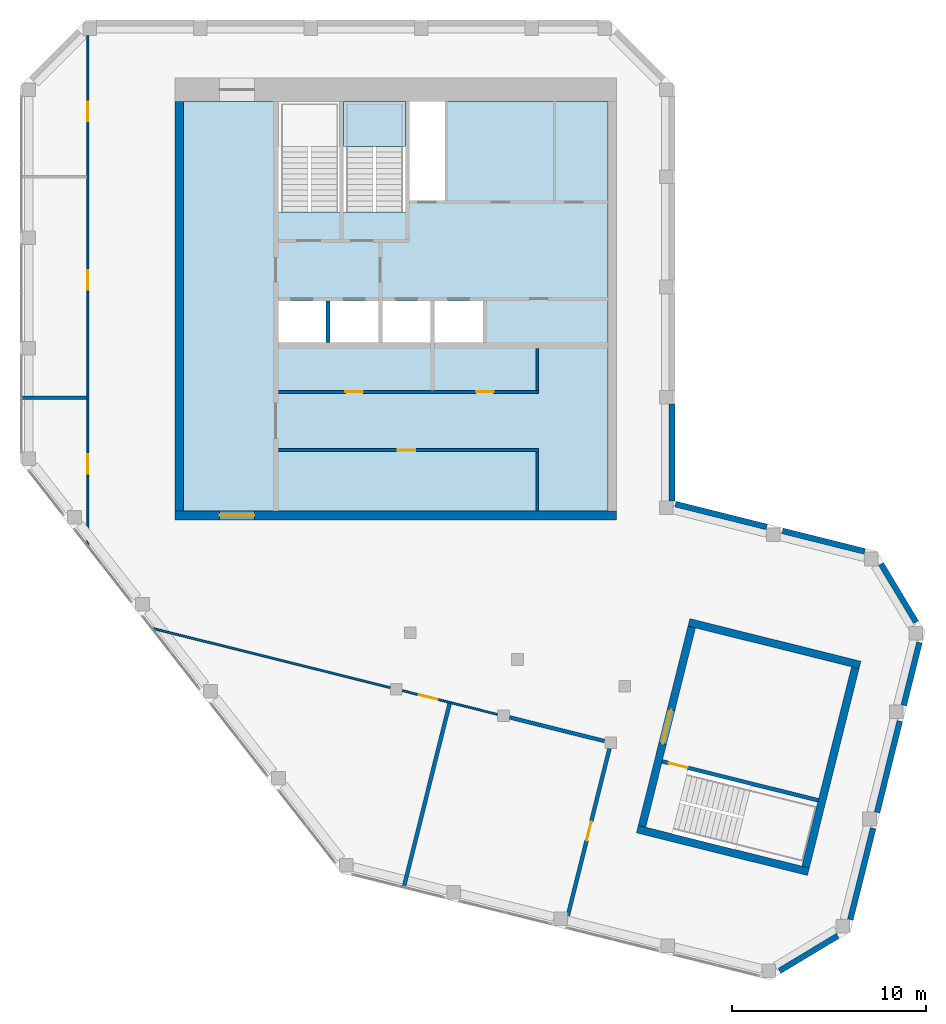
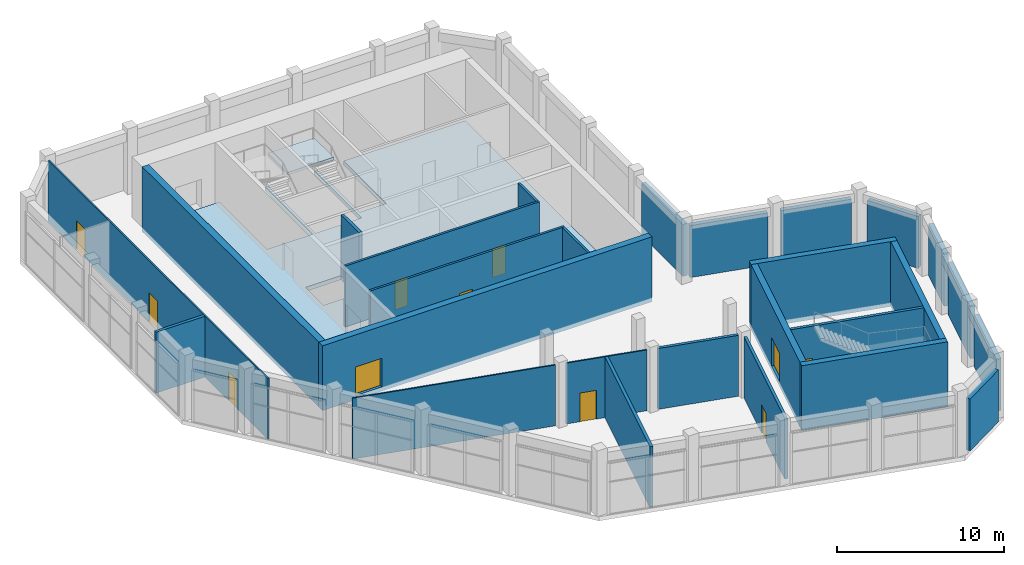
# One storey, part 7 of 10: 27 walls, 11 doors, 2 slabs, 11 openings, 1 element without a shape of its own.
"""IFC4 building model written with IfcOpenShell, lengths in metres."""

from ifc_helpers import new_model, si_unit, direction, frame, frame_2d, origin, place, context, subcontext, project, spatial, polyline, rectangle, outline, extrude, material, layer, layer_set, type_object, element, fill, aggregate, save


model = new_model("IFC4")

# Units and contexts
model_context = context("Model", 3, precision=1e-05, world=origin(), true_north=direction((0.0, 1.0)))
body_context = subcontext(model_context, "Body", "Model", "MODEL_VIEW")
ifc_project = project(units=[si_unit("LENGTHUNIT", "METRE"), si_unit("AREAUNIT", "SQUARE_METRE"), si_unit("VOLUMEUNIT", "CUBIC_METRE"), si_unit("PLANEANGLEUNIT", "RADIAN"), si_unit("MASSUNIT", "GRAM", prefix="KILO")], contexts=[model_context])

# Site, building, storey
site_placement = place(None, origin())
site = spatial("IfcSite", under=ifc_project, at=site_placement, CompositionType="ELEMENT")
building_placement = place(site_placement, origin())
building = spatial("IfcBuilding", under=site, at=building_placement, Name="Meshkara Civic Tower", CompositionType="ELEMENT")
storey_placement = place(building_placement, frame((0.0, 0.0, 424.199951171875)))
storey = spatial("IfcBuildingStorey", under=building, at=storey_placement, Name="L97 Crown", CompositionType="ELEMENT", Elevation=424.199951171875)

# Slab
ifc_material_1 = material(Name="Concrete C40/50", Category="concrete")
ifc_layer_1 = layer(ifc_material_1, 0.300048828125)
ifc_layer_set_1 = layer_set([ifc_layer_1], Name="Core floor slab 300 C40/50")
slab_type_1 = type_object("IfcSlabType", Name="Core floor slab 300 C40/50", PredefinedType="FLOOR", material=ifc_layer_set_1)
slab_1_placement = place(storey_placement, frame((0.0, 0.0, -0.300048828125)))
element("IfcSlab", 1, at=slab_1_placement, inside=storey, type_object=slab_type_1, Name="Core floor K", PredefinedType="FLOOR", context=body_context, shape_type="SweptSolid", body=[
    extrude(outline(polyline([(8.449951171875, 35.699951171875), (13.35009765625, 35.699951171875), (13.35009765625, 30.00146484375), (16.5, 30.00146484375), (16.5, 35.699951171875), (16.699951171875, 35.699951171875), (16.699951171875, 30.00146484375), (19.89990234375, 30.00146484375), (19.89990234375, 35.699951171875), (20.10009765625, 35.699951171875), (20.10009765625, 30.574951171875), (21.925048828125, 30.574951171875), (21.925048828125, 35.699951171875), (30.35009765625, 35.699951171875), (30.35009765625, 14.550048828125), (8.449951171875, 14.550048828125), (8.449951171875, 35.699951171875)]), holes=[polyline([(15.800048828125, 23.25), (15.800048828125, 25.39990234375), (13.35009765625, 25.39990234375), (13.35009765625, 23.25), (15.800048828125, 23.25)]), polyline([(18.5, 25.39990234375), (16.0, 25.39990234375), (16.0, 23.25), (18.5, 23.25), (18.5, 25.39990234375)]), polyline([(18.699951171875, 23.25), (21.199951171875, 23.25), (21.199951171875, 25.39990234375), (18.699951171875, 25.39990234375), (18.699951171875, 23.25)]), polyline([(21.39990234375, 23.25), (23.89990234375, 23.25), (23.89990234375, 25.39990234375), (21.39990234375, 25.39990234375), (21.39990234375, 23.25)])]), origin(), (0.0, 0.0, 1.0), 0.300048828125),
])

# Stair, slab
ifc_material_2 = material(Name="Precast concrete C40/50", Category="concrete")
stair_type = type_object("IfcStairType", Name="Exit stair half-turn 26 risers precast", PredefinedType="HALF_TURN_STAIR", material=ifc_material_2)
stair_placement = place(storey_placement, origin())
stair = element("IfcStair", 2, at=stair_placement, inside=storey, type_object=stair_type, Name="L97 Crown exit stair 2", PredefinedType="HALF_TURN_STAIR")
ifc_material_3 = material(Name="Precast concrete C40/50", Category="concrete")
ifc_layer_2 = layer(ifc_material_3, 0.199951171875)
ifc_layer_set_2 = layer_set([ifc_layer_2], Name="Exit stair landing 200")
slab_type_2 = type_object("IfcSlabType", Name="Exit stair landing 200", PredefinedType="LANDING", material=ifc_layer_set_2)
slab_2_placement = place(storey_placement, frame((0.0, 0.0, 2.199951171875)))
slab_2 = element("IfcSlab", 3, at=slab_2_placement, type_object=slab_type_2, Name="ST2 landing 1", PredefinedType="LANDING", context=body_context, shape_type="SweptSolid", body=[
    extrude(outline(polyline([(19.89990234375, 33.3583984375), (19.89990234375, 35.699951171875), (16.699951171875, 35.699951171875), (16.699951171875, 33.3583984375), (19.89990234375, 33.3583984375)])), origin(), (0.0, 0.0, 1.0), 0.2001953125),
])
aggregate(stair, [slab_2])

# Walls
ifc_material_4 = material(Name="Insulated infill panel with bronze anodised aluminium cladding", Category="aluminium")
ifc_layer_3 = layer(ifc_material_4, 0.300048828125)
ifc_layer_set_3 = layer_set([ifc_layer_3], Name="CROWN WALL 300")
wall_type_1 = type_object("IfcWallType", Name="CROWN WALL 300", PredefinedType="SOLIDWALL", material=ifc_layer_set_3)
wall_1_placement = place(storey_placement, frame((43.60205078125, 12.471923828125, 0.0), z_axis=(0.0, 0.0, 1.0), x_axis=(-0.970257492536, 0.242075191166, 0.0)))
element("IfcWall", 4, at=wall_1_placement, inside=storey, type_object=wall_type_1, Name="Crown external wall", PredefinedType="SOLIDWALL", context=body_context, shape_type="SweptSolid", body=[
    extrude(rectangle(XDim=4.366943359375, YDim=0.300048828125, at=frame_2d((2.18359375, 0.0))), origin(), (0.0, 0.0, 1.0), 3.800048828125),
])
wall_2_placement = place(storey_placement, frame((38.5419921875, 13.73388671875, 0.0), z_axis=(0.0, 0.0, 1.0), x_axis=(-0.970284401049, 0.241967314076, 0.0)))
element("IfcWall", 5, at=wall_2_placement, inside=storey, type_object=wall_type_1, Name="Crown external wall", PredefinedType="SOLIDWALL", context=body_context, shape_type="SweptSolid", body=[
    extrude(rectangle(XDim=4.852294921875, YDim=0.300048828125, at=frame_2d((2.42626953125, 0.0))), origin(), (0.0, 0.0, 1.0), 3.800048828125),
])
wall_3_placement = place(storey_placement, frame((33.64990234375, 15.069091796875, 0.0), z_axis=(0.0, 0.0, 1.0), x_axis=(0.0, 1.0, 0.0)))
element("IfcWall", 6, at=wall_3_placement, inside=storey, type_object=wall_type_1, Name="Crown external wall", PredefinedType="SOLIDWALL", context=body_context, shape_type="SweptSolid", body=[
    extrude(rectangle(XDim=5.0, YDim=0.300048828125, at=frame_2d((2.5, 0.0))), origin(), (0.0, 0.0, 1.0), 3.800048828125),
])
wall_4_placement = place(storey_placement, frame((39.208984375, -9.180908203125, 0.0), z_axis=(0.0, 0.0, 1.0), x_axis=(0.857216082003, 0.514956880481, 0.0)))
element("IfcWall", 7, at=wall_4_placement, inside=storey, type_object=wall_type_1, Name="Crown external wall", PredefinedType="SOLIDWALL", context=body_context, shape_type="SweptSolid", body=[
    extrude(rectangle(XDim=3.503173828125, YDim=0.300048828125, at=frame_2d((1.75146484375, 0.0))), origin(), (0.0, 0.0, 1.0), 3.800048828125),
])
wall_5_placement = place(storey_placement, frame((42.863037109375, -6.532958984375, 0.0), z_axis=(0.0, 0.0, 1.0), x_axis=(0.241967314076, 0.970284401049, 0.0)))
element("IfcWall", 8, at=wall_5_placement, inside=storey, type_object=wall_type_1, Name="Crown external wall", PredefinedType="SOLIDWALL", context=body_context, shape_type="SweptSolid", body=[
    extrude(rectangle(XDim=4.852294921875, YDim=0.300048828125, at=frame_2d((2.42626953125, 0.0))), origin(), (0.0, 0.0, 1.0), 3.800048828125),
])
wall_6_placement = place(storey_placement, frame((44.241943359375, -1.001953125, 0.0), z_axis=(0.0, 0.0, 1.0), x_axis=(0.242014574744, 0.970272614069, 0.0)))
element("IfcWall", 9, at=wall_6_placement, inside=storey, type_object=wall_type_1, Name="Crown external wall", PredefinedType="SOLIDWALL", context=body_context, shape_type="SweptSolid", body=[
    extrude(rectangle(XDim=4.851318359375, YDim=0.300048828125, at=frame_2d((2.42578125, 0.0))), origin(), (0.0, 0.0, 1.0), 3.800048828125),
])
wall_7_placement = place(storey_placement, frame((45.62109375, 4.528076171875, 0.0), z_axis=(0.0, 0.0, 1.0), x_axis=(0.241933464924, 0.970292841646, 0.0)))
element("IfcWall", 10, at=wall_7_placement, inside=storey, type_object=wall_type_1, Name="Crown external wall", PredefinedType="SOLIDWALL", context=body_context, shape_type="SweptSolid", body=[
    extrude(rectangle(XDim=3.339111328125, YDim=0.300048828125, at=frame_2d((1.66943359375, 0.0))), origin(), (0.0, 0.0, 1.0), 3.800048828125),
])
wall_8_placement = place(storey_placement, frame((46.25, 8.818115234375, 0.0), z_axis=(0.0, 0.0, 1.0), x_axis=(-0.514956880481, 0.857216082003, 0.0)))
element("IfcWall", 11, at=wall_8_placement, inside=storey, type_object=wall_type_1, Name="Crown external wall", PredefinedType="SOLIDWALL", context=body_context, shape_type="SweptSolid", body=[
    extrude(rectangle(XDim=3.503173828125, YDim=0.300048828125, at=frame_2d((1.75146484375, 0.0))), origin(), (0.0, 0.0, 1.0), 3.800048828125),
])

# Wall, opening, door
ifc_material_5 = material(Name="Blockwork", Category="masonry")
ifc_layer_4 = layer(ifc_material_5, 0.14990234375)
ifc_layer_set_4 = layer_set([ifc_layer_4], Name="Core partition 150")
wall_type_2 = type_object("IfcWallType", Name="Core partition 150", PredefinedType="PARTITIONING", material=ifc_layer_set_4)
wall_9_placement = place(storey_placement, frame((13.35009765625, 17.699951171875, 0.0), z_axis=(0.0, 0.0, 1.0), x_axis=(1.0, 0.0, 0.0)))
wall_9 = element("IfcWall", 12, at=wall_9_placement, inside=storey, type_object=wall_type_2, Name="L97 Crown-C005", PredefinedType="PARTITIONING", context=body_context, shape_type="SweptSolid", body=[
    extrude(rectangle(XDim=13.4248046875, YDim=0.14990234375, at=frame_2d((6.71240234375, 0.0))), origin(), (0.0, 0.0, 1.0), 4.449951171875),
])
opening_1_placement = place(wall_9_placement, frame((6.14990234375, 0.0, 0.0)))
opening_1 = element("IfcOpeningElement", 13, at=opening_1_placement, cuts=wall_9, Name="Opening L97 Crown-K005", PredefinedType="OPENING", context=body_context, shape_type="SweptSolid", body=[
    extrude(rectangle(XDim=0.89990234375, YDim=2.10009765625, at=frame_2d((0.449951171875, 1.050048828125))), frame((0.0, 0.0849609375, 0.0), z_axis=(0.0, -1.0, 0.0), x_axis=(1.0, 0.0, 0.0)), (0.0, 0.0, 1.0), 0.169921875),
])
ifc_material_6 = material(Name="Timber door leaf in steel frame", Category="steel")
door_type_1 = type_object("IfcDoorType", Name="Core room door 900", OperationType="SINGLE_SWING_LEFT", PredefinedType="DOOR", material=ifc_material_6)
door_1_placement = place(opening_1_placement, origin())
door_1 = element("IfcDoor", 14, at=door_1_placement, inside=storey, type_object=door_type_1, Name="L97 Crown-K005", OperationType="SINGLE_SWING_LEFT", OverallHeight=2.10009765625, OverallWidth=0.89990234375, PredefinedType="DOOR", context=body_context, shape_type="SweptSolid", body=[
    extrude(rectangle(XDim=0.89990234375, YDim=2.10009765625, at=frame_2d((0.449951171875, 1.050048828125))), frame((0.0, 0.02490234375, 0.0), z_axis=(0.0, -1.0, 0.0), x_axis=(1.0, 0.0, 0.0)), (0.0, 0.0, 1.0), 0.050048828125),
])
fill(opening_1, door_1)

# Wall, openings, doors
wall_10_placement = place(storey_placement, frame((13.35009765625, 20.699951171875, 0.0), z_axis=(0.0, 0.0, 1.0), x_axis=(1.0, 0.0, 0.0)))
wall_10 = element("IfcWall", 15, at=wall_10_placement, inside=storey, type_object=wall_type_2, Name="L97 Crown-C006", PredefinedType="PARTITIONING", context=body_context, shape_type="SweptSolid", body=[
    extrude(rectangle(XDim=13.4248046875, YDim=0.14990234375, at=frame_2d((6.71240234375, 0.0))), origin(), (0.0, 0.0, 1.0), 4.449951171875),
])
opening_2_placement = place(wall_10_placement, frame((3.449951171875, 0.0, 0.0)))
opening_2 = element("IfcOpeningElement", 16, at=opening_2_placement, cuts=wall_10, Name="Opening L97 Crown-K006", PredefinedType="OPENING", context=body_context, shape_type="SweptSolid", body=[
    extrude(rectangle(XDim=0.89990234375, YDim=2.10009765625, at=frame_2d((0.449951171875, 1.050048828125))), frame((0.0, 0.0849609375, 0.0), z_axis=(0.0, -1.0, 0.0), x_axis=(1.0, 0.0, 0.0)), (0.0, 0.0, 1.0), 0.169921875),
])
opening_3_placement = place(wall_10_placement, frame((10.199951171875, 0.0, 0.0)))
opening_3 = element("IfcOpeningElement", 17, at=opening_3_placement, cuts=wall_10, Name="Opening L97 Crown-K007", PredefinedType="OPENING", context=body_context, shape_type="SweptSolid", body=[
    extrude(rectangle(XDim=0.89990234375, YDim=2.10009765625, at=frame_2d((0.449951171875, 1.050048828125))), frame((0.0, 0.0849609375, 0.0), z_axis=(0.0, -1.0, 0.0), x_axis=(1.0, 0.0, 0.0)), (0.0, 0.0, 1.0), 0.169921875),
])
door_2_placement = place(opening_2_placement, origin())
door_2 = element("IfcDoor", 18, at=door_2_placement, inside=storey, type_object=door_type_1, Name="L97 Crown-K006", OperationType="SINGLE_SWING_RIGHT", OverallHeight=2.10009765625, OverallWidth=0.89990234375, PredefinedType="DOOR", context=body_context, shape_type="SweptSolid", body=[
    extrude(rectangle(XDim=0.89990234375, YDim=2.10009765625, at=frame_2d((0.449951171875, 1.050048828125))), frame((0.0, 0.02490234375, 0.0), z_axis=(0.0, -1.0, 0.0), x_axis=(1.0, 0.0, 0.0)), (0.0, 0.0, 1.0), 0.050048828125),
])
fill(opening_2, door_2)
door_3_placement = place(opening_3_placement, origin())
door_3 = element("IfcDoor", 19, at=door_3_placement, inside=storey, type_object=door_type_1, Name="L97 Crown-K007", OperationType="SINGLE_SWING_RIGHT", OverallHeight=2.10009765625, OverallWidth=0.89990234375, PredefinedType="DOOR", context=body_context, shape_type="SweptSolid", body=[
    extrude(rectangle(XDim=0.89990234375, YDim=2.10009765625, at=frame_2d((0.449951171875, 1.050048828125))), frame((0.0, 0.02490234375, 0.0), z_axis=(0.0, -1.0, 0.0), x_axis=(1.0, 0.0, 0.0)), (0.0, 0.0, 1.0), 0.050048828125),
])
fill(opening_3, door_3)

# Walls
wall_11_placement = place(storey_placement, frame((26.699951171875, 14.550048828125, 0.0), z_axis=(0.0, 0.0, 1.0), x_axis=(0.0, 1.0, 0.0)))
element("IfcWall", 20, at=wall_11_placement, inside=storey, type_object=wall_type_2, Name="L97 Crown-C019", PredefinedType="PARTITIONING", context=body_context, shape_type="SweptSolid", body=[
    extrude(rectangle(XDim=3.074951171875, YDim=0.14990234375, at=frame_2d((1.53759765625, 0.0))), origin(), (0.0, 0.0, 1.0), 4.449951171875),
])
wall_12_placement = place(storey_placement, frame((26.699951171875, 20.77490234375, 0.0), z_axis=(0.0, 0.0, 1.0), x_axis=(0.0, 1.0, 0.0)))
element("IfcWall", 21, at=wall_12_placement, inside=storey, type_object=wall_type_2, Name="L97 Crown-C020", PredefinedType="PARTITIONING", context=body_context, shape_type="SweptSolid", body=[
    extrude(rectangle(XDim=2.175048828125, YDim=0.14990234375, at=frame_2d((1.08740234375, 0.0))), origin(), (0.0, 0.0, 1.0), 4.449951171875),
])

# Wall, opening, door
ifc_material_7 = material(Name="Concrete C50", Category="concrete")
ifc_layer_5 = layer(ifc_material_7, 0.449951171875)
ifc_layer_set_5 = layer_set([ifc_layer_5], Name="Core ring wall 450 C50")
wall_type_3 = type_object("IfcWallType", Name="Core ring wall 450 C50", PredefinedType="SHEAR", material=ifc_layer_set_5)
wall_13_placement = place(storey_placement, frame((8.0, 14.324951171875, -0.300048828125), z_axis=(0.0, 0.0, 1.0), x_axis=(1.0, 0.0, 0.0)))
wall_13 = element("IfcWall", 22, at=wall_13_placement, inside=storey, type_object=wall_type_3, Name="L97 Crown-C001", PredefinedType="SHEAR", context=body_context, shape_type="SweptSolid", body=[
    extrude(rectangle(XDim=22.800048828125, YDim=0.449951171875, at=frame_2d((11.39990234375, 0.0))), origin(), (0.0, 0.0, 1.0), 4.75),
])
opening_4_placement = place(wall_13_placement, frame((2.300048828125, 0.0, 0.300048828125)))
opening_4 = element("IfcOpeningElement", 23, at=opening_4_placement, cuts=wall_13, Name="Opening L97 Crown-K018", PredefinedType="OPENING", context=body_context, shape_type="SweptSolid", body=[
    extrude(rectangle(XDim=1.800048828125, YDim=2.10009765625, at=frame_2d((0.89990234375, 1.050048828125))), frame((0.0, 0.23486328125, 0.0), z_axis=(0.0, -1.0, 0.0), x_axis=(1.0, 0.0, 0.0)), (0.0, 0.0, 1.0), 0.469970703125),
])
ifc_material_8 = material(Name="Fire-rated door leaf in steel frame", Category="steel")
door_type_2 = type_object("IfcDoorType", Name="Core double door 1800 EI 60", OperationType="DOUBLE_DOOR_SINGLE_SWING", PredefinedType="DOOR", material=ifc_material_8)
door_4_placement = place(opening_4_placement, origin())
door_4 = element("IfcDoor", 24, at=door_4_placement, inside=storey, type_object=door_type_2, Name="L97 Crown-K018", OperationType="DOUBLE_DOOR_SINGLE_SWING", OverallHeight=2.10009765625, OverallWidth=1.800048828125, PredefinedType="DOOR", context=body_context, shape_type="SweptSolid", body=[
    extrude(rectangle(XDim=1.800048828125, YDim=2.10009765625, at=frame_2d((0.89990234375, 1.050048828125))), frame((0.0, 0.02490234375, 0.0), z_axis=(0.0, -1.0, 0.0), x_axis=(1.0, 0.0, 0.0)), (0.0, 0.0, 1.0), 0.050048828125),
])
fill(opening_4, door_4)

# Wall
wall_14_placement = place(storey_placement, frame((8.22509765625, 14.550048828125, -0.300048828125), z_axis=(0.0, 0.0, 1.0), x_axis=(0.0, 1.0, 0.0)))
element("IfcWall", 25, at=wall_14_placement, inside=storey, type_object=wall_type_3, Name="L97 Crown-C003", PredefinedType="SHEAR", context=body_context, shape_type="SweptSolid", body=[
    extrude(rectangle(XDim=21.14990234375, YDim=0.449951171875, at=frame_2d((10.574951171875, 0.0))), origin(), (0.0, 0.0, 1.0), 4.75),
])

# Wall, openings, doors
ifc_material_9 = material(Name="Corridor wall 100")
ifc_layer_6 = layer(ifc_material_9, 0.10009765625)
ifc_layer_set_6 = layer_set([ifc_layer_6], Name="Corridor wall 100")
wall_type_4 = type_object("IfcWallType", Name="Corridor wall 100", PredefinedType="PARTITIONING", material=ifc_layer_set_6)
wall_15_placement = place(storey_placement, frame((3.5, 12.7529296875, 0.0), z_axis=(0.0, 0.0, 1.0), x_axis=(0.0, 1.0, 0.0)))
wall_15 = element("IfcWall", 26, at=wall_15_placement, inside=storey, type_object=wall_type_4, Name="L97 Crown-R001", PredefinedType="PARTITIONING", context=body_context, shape_type="SweptSolid", body=[
    extrude(rectangle(XDim=26.3271484375, YDim=0.10009765625, at=frame_2d((13.16357421875, 0.0))), origin(), (0.0, 0.0, 1.0), 4.449951171875),
])
opening_5_placement = place(wall_15_placement, frame((3.73388671875, 0.0, 0.0)))
opening_5 = element("IfcOpeningElement", 27, at=opening_5_placement, cuts=wall_15, Name="Opening L97 Crown-P003", PredefinedType="OPENING", context=body_context, shape_type="SweptSolid", body=[
    extrude(rectangle(XDim=1.0, YDim=2.10009765625, at=frame_2d((0.5, 1.050048828125))), frame((0.0, 0.06005859375, 0.0), z_axis=(0.0, -1.0, 0.0), x_axis=(1.0, 0.0, 0.0)), (0.0, 0.0, 1.0), 0.1201171875),
])
opening_6_placement = place(wall_15_placement, frame((13.22705078125, 0.0, 0.0)))
opening_6 = element("IfcOpeningElement", 28, at=opening_6_placement, cuts=wall_15, Name="Opening L97 Crown-P004", PredefinedType="OPENING", context=body_context, shape_type="SweptSolid", body=[
    extrude(rectangle(XDim=1.0, YDim=2.10009765625, at=frame_2d((0.5, 1.050048828125))), frame((0.0, 0.06005859375, 0.0), z_axis=(0.0, -1.0, 0.0), x_axis=(1.0, 0.0, 0.0)), (0.0, 0.0, 1.0), 0.1201171875),
])
opening_7_placement = place(wall_15_placement, frame((21.927001953125, 0.0, 0.0)))
opening_7 = element("IfcOpeningElement", 29, at=opening_7_placement, cuts=wall_15, Name="Opening L97 Crown-P005", PredefinedType="OPENING", context=body_context, shape_type="SweptSolid", body=[
    extrude(rectangle(XDim=1.0, YDim=2.10009765625, at=frame_2d((0.5, 1.050048828125))), frame((0.0, 0.06005859375, 0.0), z_axis=(0.0, -1.0, 0.0), x_axis=(1.0, 0.0, 0.0)), (0.0, 0.0, 1.0), 0.1201171875),
])
ifc_material_10 = material(Name="Door 1000 x 2100")
door_type_3 = type_object("IfcDoorType", Name="Door 1000 x 2100", OperationType="SINGLE_SWING_LEFT", PredefinedType="DOOR", material=ifc_material_10)
door_5_placement = place(opening_5_placement, origin())
door_5 = element("IfcDoor", 30, at=door_5_placement, inside=storey, type_object=door_type_3, Name="L97 Crown-P003", OperationType="SINGLE_SWING_RIGHT", OverallHeight=2.10009765625, OverallWidth=1.0, PredefinedType="DOOR", context=body_context, shape_type="SweptSolid", body=[
    extrude(rectangle(XDim=1.0, YDim=2.10009765625, at=frame_2d((0.5, 1.050048828125))), frame((0.0, 0.02490234375, 0.0), z_axis=(0.0, -1.0, 0.0), x_axis=(1.0, 0.0, 0.0)), (0.0, 0.0, 1.0), 0.050048828125),
])
fill(opening_5, door_5)
door_6_placement = place(opening_6_placement, origin())
door_6 = element("IfcDoor", 31, at=door_6_placement, inside=storey, type_object=door_type_3, Name="L97 Crown-P004", OperationType="SINGLE_SWING_LEFT", OverallHeight=2.10009765625, OverallWidth=1.0, PredefinedType="DOOR", context=body_context, shape_type="SweptSolid", body=[
    extrude(rectangle(XDim=1.0, YDim=2.10009765625, at=frame_2d((0.5, 1.050048828125))), frame((0.0, 0.02490234375, 0.0), z_axis=(0.0, -1.0, 0.0), x_axis=(1.0, 0.0, 0.0)), (0.0, 0.0, 1.0), 0.050048828125),
])
fill(opening_6, door_6)
door_7_placement = place(opening_7_placement, origin())
door_7 = element("IfcDoor", 32, at=door_7_placement, inside=storey, type_object=door_type_3, Name="L97 Crown-P005", OperationType="SINGLE_SWING_RIGHT", OverallHeight=2.10009765625, OverallWidth=1.0, PredefinedType="DOOR", context=body_context, shape_type="SweptSolid", body=[
    extrude(rectangle(XDim=1.0, YDim=2.10009765625, at=frame_2d((0.5, 1.050048828125))), frame((0.0, 0.02490234375, 0.0), z_axis=(0.0, -1.0, 0.0), x_axis=(1.0, 0.0, 0.0)), (0.0, 0.0, 1.0), 0.050048828125),
])
fill(opening_7, door_7)

# Wall
wall_16_placement = place(storey_placement, frame((6.819580078125, 8.503173828125, 0.0), z_axis=(0.0, 0.0, 1.0), x_axis=(0.970288651432, -0.241950269482, 0.0)))
element("IfcWall", 33, at=wall_16_placement, inside=storey, type_object=wall_type_4, Name="L97 Crown-R002", PredefinedType="PARTITIONING", context=body_context, shape_type="SweptSolid", body=[
    extrude(rectangle(XDim=12.66064453125, YDim=0.10009765625, at=frame_2d((6.330322265625, 0.0))), origin(), (0.0, 0.0, 1.0), 4.449951171875),
])

# Wall, opening, door
wall_17_placement = place(storey_placement, frame((19.743896484375, 5.281005859375, 0.0), z_axis=(0.0, 0.0, 1.0), x_axis=(0.970262058426, -0.242056889963, 0.0)))
wall_17 = element("IfcWall", 34, at=wall_17_placement, inside=storey, type_object=wall_type_4, Name="L97 Crown-R003", PredefinedType="PARTITIONING", context=body_context, shape_type="SweptSolid", body=[
    extrude(rectangle(XDim=5.0400390625, YDim=0.10009765625, at=frame_2d((2.52001953125, 0.0))), origin(), (0.0, 0.0, 1.0), 4.449951171875),
])
opening_8_placement = place(wall_17_placement, frame((0.8798828125, 0.0, 0.0)))
opening_8 = element("IfcOpeningElement", 35, at=opening_8_placement, cuts=wall_17, Name="Opening L97 Crown-P002", PredefinedType="OPENING", context=body_context, shape_type="SweptSolid", body=[
    extrude(rectangle(XDim=1.0, YDim=2.10009765625, at=frame_2d((0.5, 1.050048828125))), frame((0.0, 0.06005859375, 0.0), z_axis=(0.0, -1.0, 0.0), x_axis=(1.0, 0.0, 0.0)), (0.0, 0.0, 1.0), 0.1201171875),
])
door_8_placement = place(opening_8_placement, origin())
door_8 = element("IfcDoor", 36, at=door_8_placement, inside=storey, type_object=door_type_3, Name="L97 Crown-P002", OperationType="SINGLE_SWING_LEFT", OverallHeight=2.10009765625, OverallWidth=1.0, PredefinedType="DOOR", context=body_context, shape_type="SweptSolid", body=[
    extrude(rectangle(XDim=1.0, YDim=2.10009765625, at=frame_2d((0.5, 1.050048828125))), frame((0.0, 0.02490234375, 0.0), z_axis=(0.0, -1.0, 0.0), x_axis=(1.0, 0.0, 0.0)), (0.0, 0.0, 1.0), 0.050048828125),
])
fill(opening_8, door_8)

# Walls
ifc_material_11 = material(Name="Concrete C50", Category="concrete")
ifc_layer_7 = layer(ifc_material_11, 0.39990234375)
ifc_layer_set_7 = layer_set([ifc_layer_7], Name="End core ring wall 400 C50")
wall_type_5 = type_object("IfcWallType", Name="End core ring wall 400 C50", PredefinedType="SHEAR", material=ifc_layer_set_7)
wall_18_placement = place(storey_placement, frame((31.865966796875, -1.864013671875, -0.300048828125), z_axis=(0.0, 0.0, 1.0), x_axis=(0.970281225948, -0.241980045814, 0.0)))
element("IfcWall", 37, at=wall_18_placement, inside=storey, type_object=wall_type_5, Name="L97 Crown-C022", PredefinedType="SHEAR", context=body_context, shape_type="SweptSolid", body=[
    extrude(rectangle(XDim=9.099609375, YDim=0.39990234375, at=frame_2d((4.5498046875, 0.0))), origin(), (0.0, 0.0, 1.0), 4.75),
])
wall_19_placement = place(storey_placement, frame((34.527099609375, 8.80908203125, -0.300048828125), z_axis=(0.0, 0.0, 1.0), x_axis=(0.970273354879, -0.242011604707, 0.0)))
element("IfcWall", 38, at=wall_19_placement, inside=storey, type_object=wall_type_5, Name="L97 Crown-C023", PredefinedType="SHEAR", context=body_context, shape_type="SweptSolid", body=[
    extrude(rectangle(XDim=9.099365234375, YDim=0.39990234375, at=frame_2d((4.5498046875, 0.0))), origin(), (0.0, 0.0, 1.0), 4.75),
])

# Wall, opening, door
wall_20_placement = place(storey_placement, frame((32.10791015625, -1.718994140625, -0.300048828125), z_axis=(0.0, 0.0, 1.0), x_axis=(0.241912337509, 0.970298109326, 0.0)))
wall_20 = element("IfcWall", 39, at=wall_20_placement, inside=storey, type_object=wall_type_5, Name="L97 Crown-C024", PredefinedType="SHEAR", context=body_context, shape_type="SweptSolid", body=[
    extrude(rectangle(XDim=10.599853515625, YDim=0.39990234375, at=frame_2d((5.2998046875, 0.0))), origin(), (0.0, 0.0, 1.0), 4.75),
])
opening_9_placement = place(wall_20_placement, frame((4.39990234375, 0.0, 0.300048828125)))
opening_9 = element("IfcOpeningElement", 40, at=opening_9_placement, cuts=wall_20, Name="Opening L97 Crown-K202", PredefinedType="OPENING", context=body_context, shape_type="SweptSolid", body=[
    extrude(rectangle(XDim=1.800048828125, YDim=2.10009765625, at=frame_2d((0.89990234375, 1.050048828125))), frame((0.0, 0.2099609375, 0.0), z_axis=(0.0, -1.0, 0.0), x_axis=(1.0, 0.0, 0.0)), (0.0, 0.0, 1.0), 0.419921875),
])
door_9_placement = place(opening_9_placement, origin())
door_9 = element("IfcDoor", 41, at=door_9_placement, inside=storey, type_object=door_type_2, Name="L97 Crown-K202", OperationType="DOUBLE_DOOR_SINGLE_SWING", OverallHeight=2.10009765625, OverallWidth=1.800048828125, PredefinedType="DOOR", context=body_context, shape_type="SweptSolid", body=[
    extrude(rectangle(XDim=1.800048828125, YDim=2.10009765625, at=frame_2d((0.89990234375, 1.050048828125))), frame((0.0, 0.02490234375, 0.0), z_axis=(0.0, -1.0, 0.0), x_axis=(1.0, 0.0, 0.0)), (0.0, 0.0, 1.0), 0.050048828125),
])
fill(opening_9, door_9)

# Walls
wall_21_placement = place(storey_placement, frame((40.550048828125, -3.822998046875, -0.300048828125), z_axis=(0.0, 0.0, 1.0), x_axis=(0.241890652548, 0.970303515509, 0.0)))
element("IfcWall", 42, at=wall_21_placement, inside=storey, type_object=wall_type_5, Name="L97 Crown-C025", PredefinedType="SHEAR", context=body_context, shape_type="SweptSolid", body=[
    extrude(rectangle(XDim=10.599609375, YDim=0.39990234375, at=frame_2d((5.2998046875, 0.0))), origin(), (0.0, 0.0, 1.0), 4.75),
])
ifc_material_12 = material(Name="Fire-rated wall 200")
ifc_layer_8 = layer(ifc_material_12, 0.199951171875)
ifc_layer_set_8 = layer_set([ifc_layer_8], Name="Fire-rated wall 200")
wall_type_6 = type_object("IfcWallType", Name="Fire-rated wall 200", PredefinedType="PARTITIONING", material=ifc_layer_set_8)
wall_22_placement = place(storey_placement, frame((25.27392578125, 3.902099609375, 0.0), z_axis=(0.0, 0.0, 1.0), x_axis=(0.970262034576, -0.242056985565, 0.0)))
element("IfcWall", 43, at=wall_22_placement, inside=storey, type_object=wall_type_6, Name="L97 Crown-R004", PredefinedType="PARTITIONING", context=body_context, shape_type="SweptSolid", body=[
    extrude(rectangle(XDim=5.041015625, YDim=0.199951171875, at=frame_2d((2.5205078125, 0.0))), origin(), (0.0, 0.0, 1.0), 4.449951171875),
])

# Wall, opening, door
wall_23_placement = place(storey_placement, frame((30.425048828125, 2.281982421875, 0.0), z_axis=(0.0, 0.0, 1.0), x_axis=(-0.241828998562, -0.970318883385, 0.0)))
wall_23 = element("IfcWall", 44, at=wall_23_placement, inside=storey, type_object=wall_type_6, Name="L97 Crown-R005", PredefinedType="PARTITIONING", context=body_context, shape_type="SweptSolid", body=[
    extrude(rectangle(XDim=8.86181640625, YDim=0.199951171875, at=frame_2d((4.430908203125, 0.0))), origin(), (0.0, 0.0, 1.0), 4.449951171875),
])
opening_10_placement = place(wall_23_placement, frame((3.8798828125, 0.0, 0.0)))
opening_10 = element("IfcOpeningElement", 45, at=opening_10_placement, cuts=wall_23, Name="Opening L97 Crown-P001", PredefinedType="OPENING", context=body_context, shape_type="SweptSolid", body=[
    extrude(rectangle(XDim=1.0, YDim=2.10009765625, at=frame_2d((0.5, 1.050048828125))), frame((0.0, 0.10986328125, 0.0), z_axis=(0.0, -1.0, 0.0), x_axis=(1.0, 0.0, 0.0)), (0.0, 0.0, 1.0), 0.219970703125),
])
door_10_placement = place(opening_10_placement, origin())
door_10 = element("IfcDoor", 46, at=door_10_placement, inside=storey, type_object=door_type_3, Name="L97 Crown-P001", OperationType="SINGLE_SWING_LEFT", OverallHeight=2.10009765625, OverallWidth=1.0, PredefinedType="DOOR", context=body_context, shape_type="SweptSolid", body=[
    extrude(rectangle(XDim=1.0, YDim=2.10009765625, at=frame_2d((0.5, 1.050048828125))), frame((0.0, 0.02490234375, 0.0), z_axis=(0.0, -1.0, 0.0), x_axis=(1.0, 0.0, 0.0)), (0.0, 0.0, 1.0), 0.050048828125),
])
fill(opening_10, door_10)

# Walls
wall_24_placement = place(storey_placement, frame((3.449951171875, 20.39990234375, 0.0), z_axis=(0.0, 0.0, 1.0), x_axis=(-1.0, 0.0, 0.0)))
element("IfcWall", 47, at=wall_24_placement, inside=storey, type_object=wall_type_6, Name="L97 Crown-R006", PredefinedType="PARTITIONING", context=body_context, shape_type="SweptSolid", body=[
    extrude(rectangle(XDim=3.3759765625, YDim=0.199951171875, at=frame_2d((1.68798828125, 0.0))), origin(), (0.0, 0.0, 1.0), 4.449951171875),
])
wall_25_placement = place(storey_placement, frame((19.812255859375, -4.86328125, 0.0), z_axis=(0.0, 0.0, 1.0), x_axis=(0.241900932466, 0.970300952732, 0.0)))
element("IfcWall", 48, at=wall_25_placement, inside=storey, type_object=wall_type_6, Name="L97 Crown-R008", PredefinedType="PARTITIONING", context=body_context, shape_type="SweptSolid", body=[
    extrude(rectangle(XDim=9.775634765625, YDim=0.199951171875, at=frame_2d((4.8876953125, 0.0))), origin(), (0.0, 0.0, 1.0), 4.449951171875),
])
ifc_material_13 = material(Name="Concrete C40/50", Category="concrete")
ifc_layer_9 = layer(ifc_material_13, 0.199951171875)
ifc_layer_set_9 = layer_set([ifc_layer_9], Name="Shaft wall 200 C40/50")
wall_type_7 = type_object("IfcWallType", Name="Shaft wall 200 C40/50", PredefinedType="SOLIDWALL", material=ifc_layer_set_9)
wall_26_placement = place(storey_placement, frame((15.89990234375, 23.25, 0.0), z_axis=(0.0, 0.0, 1.0), x_axis=(0.0, 1.0, 0.0)))
element("IfcWall", 49, at=wall_26_placement, inside=storey, type_object=wall_type_7, Name="L97 Crown-C012", PredefinedType="SOLIDWALL", context=body_context, shape_type="SweptSolid", body=[
    extrude(rectangle(XDim=2.14990234375, YDim=0.199951171875, at=frame_2d((1.074951171875, 0.0))), origin(), (0.0, 0.0, 1.0), 4.449951171875),
])

# Wall, opening, door
ifc_material_14 = material(Name="Concrete C40/50", Category="concrete")
ifc_layer_10 = layer(ifc_material_14, 0.199951171875)
ifc_layer_set_10 = layer_set([ifc_layer_10], Name="Stair enclosure wall 200 C40/50")
wall_type_8 = type_object("IfcWallType", Name="Stair enclosure wall 200 C40/50", PredefinedType="SOLIDWALL", material=ifc_layer_set_10)
wall_27_placement = place(storey_placement, frame((33.14892578125, 1.62890625, 0.0), z_axis=(0.0, 0.0, 1.0), x_axis=(0.970296307498, -0.241919564434, 0.0)))
wall_27 = element("IfcWall", 50, at=wall_27_placement, inside=storey, type_object=wall_type_8, Name="L97 Crown-C026", PredefinedType="SOLIDWALL", context=body_context, shape_type="SweptSolid", body=[
    extrude(rectangle(XDim=8.299560546875, YDim=0.199951171875, at=frame_2d((4.14990234375, 0.0))), origin(), (0.0, 0.0, 1.0), 4.449951171875),
])
opening_11_placement = place(wall_27_placement, frame((0.35009765625, 0.0, 0.0)))
opening_11 = element("IfcOpeningElement", 51, at=opening_11_placement, cuts=wall_27, Name="Opening L97 Crown-K201", PredefinedType="OPENING", context=body_context, shape_type="SweptSolid", body=[
    extrude(rectangle(XDim=1.0, YDim=2.10009765625, at=frame_2d((0.5, 1.050048828125))), frame((0.0, 0.10986328125, 0.0), z_axis=(0.0, -1.0, 0.0), x_axis=(1.0, 0.0, 0.0)), (0.0, 0.0, 1.0), 0.219970703125),
])
ifc_material_15 = material(Name="Fire-rated door leaf in steel frame", Category="steel")
door_type_4 = type_object("IfcDoorType", Name="Stair door 1000 EI 120", OperationType="SINGLE_SWING_LEFT", PredefinedType="DOOR", material=ifc_material_15)
door_11_placement = place(opening_11_placement, origin())
door_11 = element("IfcDoor", 52, at=door_11_placement, inside=storey, type_object=door_type_4, Name="L97 Crown-K201", OperationType="SINGLE_SWING_LEFT", OverallHeight=2.10009765625, OverallWidth=1.0, PredefinedType="DOOR", context=body_context, shape_type="SweptSolid", body=[
    extrude(rectangle(XDim=1.0, YDim=2.10009765625, at=frame_2d((0.5, 1.050048828125))), frame((0.0, 0.02490234375, 0.0), z_axis=(0.0, -1.0, 0.0), x_axis=(1.0, 0.0, 0.0)), (0.0, 0.0, 1.0), 0.050048828125),
])
fill(opening_11, door_11)

save(model, "model.ifc")
